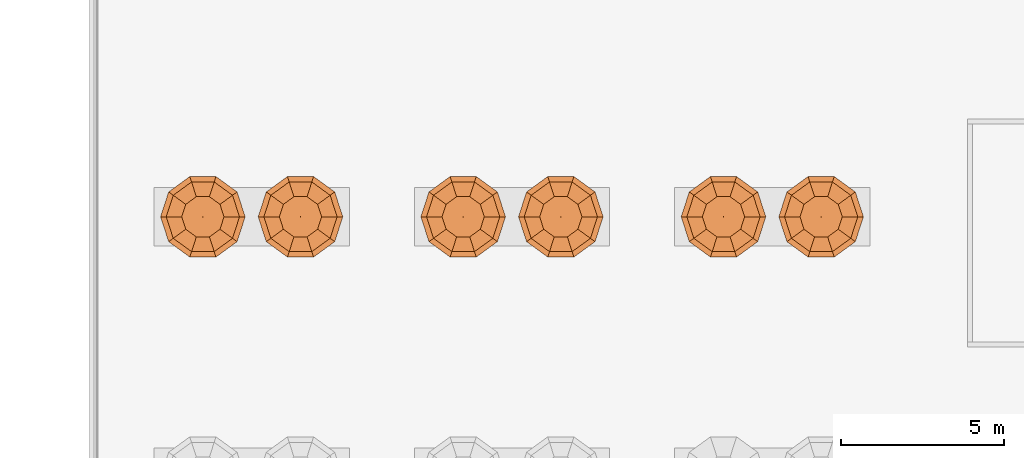
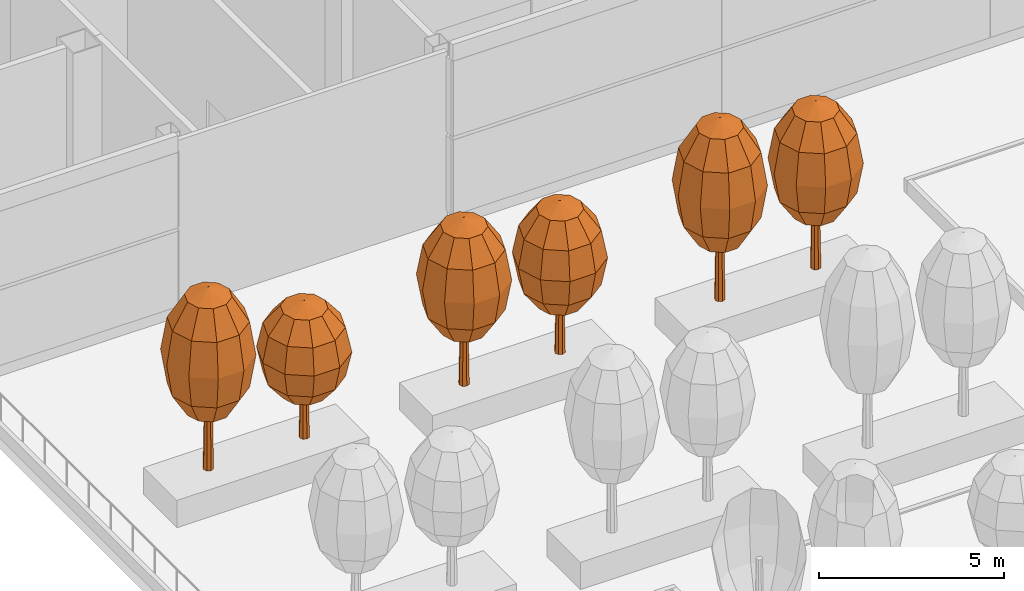
# One storey, part 96 of 100: 6 proxies.
"""IFC4 building model written with IfcOpenShell, lengths in metres."""

from ifc_helpers import new_model, si_unit, direction, frame, origin, place, context, subcontext, project, spatial, triangles, element, save


model = new_model("IFC4")

# Units and contexts
model_context = context("Model", 3, precision=1e-05, world=origin(), true_north=direction((0.0, 1.0)))
body_context = subcontext(model_context, "Body", "Model", "MODEL_VIEW")
ifc_project = project(units=[si_unit("LENGTHUNIT", "METRE"), si_unit("AREAUNIT", "SQUARE_METRE"), si_unit("VOLUMEUNIT", "CUBIC_METRE"), si_unit("PLANEANGLEUNIT", "RADIAN"), si_unit("MASSUNIT", "GRAM", prefix="KILO")], contexts=[model_context])

# Site, building, storey
site_placement = place(None, origin())
site = spatial("IfcSite", under=ifc_project, at=site_placement, CompositionType="ELEMENT")
building_placement = place(site_placement, origin())
building = spatial("IfcBuilding", under=site, at=building_placement, Name="Hakoniwa Tower and Hamabe Station Hall", CompositionType="ELEMENT")
storey_placement = place(building_placement, frame((0.0, 0.0, 9.0)))
storey = spatial("IfcBuildingStorey", under=building, at=storey_placement, Name="L02", CompositionType="ELEMENT", Elevation=9.0)

# Proxies
proxy_1_placement = place(storey_placement, frame((-20.5, -33.0, 0.89990234375)))
element("IfcBuildingElementProxy", 1, at=proxy_1_placement, inside=storey, Name="Tree Ilex rotunda 19-1", ObjectType="TREE", PredefinedType="USERDEFINED", context=body_context, shape_type="Tessellation", body=[
    triangles([(0.14990234375, 0.0, 0.0), (0.106201171875, 0.106201171875, 0.0), (0.0, 0.14990234375, 0.0), (-0.106201171875, 0.106201171875, 0.0), (-0.14990234375, 0.0, 0.0), (-0.106201171875, -0.106201171875, 0.0), (0.0, -0.14990234375, 0.0), (0.106201171875, -0.106201171875, 0.0), (0.090087890625, 0.0, 3.6240234375), (0.063720703125, 0.063720703125, 3.6240234375), (0.0, 0.090087890625, 3.6240234375), (-0.063720703125, 0.063720703125, 3.6240234375), (-0.090087890625, 0.0, 3.6240234375), (-0.063720703125, -0.063720703125, 3.6240234375), (0.0, -0.090087890625, 3.6240234375), (0.063720703125, -0.063720703125, 3.6240234375), (0.0, 0.0, 0.0), (0.0, 0.0, 3.6240234375)], [[1, 2, 10], [1, 10, 9], [17, 2, 1], [18, 9, 10], [2, 3, 11], [2, 11, 10], [17, 3, 2], [18, 10, 11], [3, 4, 12], [3, 12, 11], [17, 4, 3], [18, 11, 12], [4, 5, 13], [4, 13, 12], [17, 5, 4], [18, 12, 13], [5, 6, 14], [5, 14, 13], [17, 6, 5], [18, 13, 14], [6, 7, 15], [6, 15, 14], [17, 7, 6], [18, 14, 15], [7, 8, 16], [7, 16, 15], [17, 8, 7], [18, 15, 16], [8, 1, 9], [8, 9, 16], [17, 1, 8], [18, 16, 9]], closed=True),
    triangles([(0.0, 0.0, 1.679931640625), (0.64990234375, 0.0, 1.969482421875), (0.52587890625, 0.382080078125, 1.969482421875), (0.200927734375, 0.6181640625, 1.969482421875), (-0.200927734375, 0.6181640625, 1.969482421875), (-0.52587890625, 0.382080078125, 1.969482421875), (-0.64990234375, 0.0, 1.969482421875), (-0.52587890625, -0.382080078125, 1.969482421875), (-0.200927734375, -0.6181640625, 1.969482421875), (0.200927734375, -0.6181640625, 1.969482421875), (0.52587890625, -0.382080078125, 1.969482421875), (1.1259765625, 0.0, 2.760009765625), (0.910888671875, 0.661865234375, 2.760009765625), (0.347900390625, 1.07080078125, 2.760009765625), (-0.347900390625, 1.07080078125, 2.760009765625), (-0.910888671875, 0.661865234375, 2.760009765625), (-1.1259765625, 0.0, 2.760009765625), (-0.910888671875, -0.661865234375, 2.760009765625), (-0.347900390625, -1.07080078125, 2.760009765625), (0.347900390625, -1.07080078125, 2.760009765625), (0.910888671875, -0.661865234375, 2.760009765625), (1.300048828125, 0.0, 3.840087890625), (1.0517578125, 0.76416015625, 3.840087890625), (0.40185546875, 1.236328125, 3.840087890625), (-0.40185546875, 1.236328125, 3.840087890625), (-1.0517578125, 0.76416015625, 3.840087890625), (-1.300048828125, 0.0, 3.840087890625), (-1.0517578125, -0.76416015625, 3.840087890625), (-0.40185546875, -1.236328125, 3.840087890625), (0.40185546875, -1.236328125, 3.840087890625), (1.0517578125, -0.76416015625, 3.840087890625), (1.1259765625, 0.0, 4.919921875), (0.910888671875, 0.661865234375, 4.919921875), (0.347900390625, 1.07080078125, 4.919921875), (-0.347900390625, 1.07080078125, 4.919921875), (-0.910888671875, 0.661865234375, 4.919921875), (-1.1259765625, 0.0, 4.919921875), (-0.910888671875, -0.661865234375, 4.919921875), (-0.347900390625, -1.07080078125, 4.919921875), (0.347900390625, -1.07080078125, 4.919921875), (0.910888671875, -0.661865234375, 4.919921875), (0.64990234375, 0.0, 5.710693359375), (0.52587890625, 0.382080078125, 5.710693359375), (0.200927734375, 0.6181640625, 5.710693359375), (-0.200927734375, 0.6181640625, 5.710693359375), (-0.52587890625, 0.382080078125, 5.710693359375), (-0.64990234375, 0.0, 5.710693359375), (-0.52587890625, -0.382080078125, 5.710693359375), (-0.200927734375, -0.6181640625, 5.710693359375), (0.200927734375, -0.6181640625, 5.710693359375), (0.52587890625, -0.382080078125, 5.710693359375), (0.0, 0.0, 6.0)], [[1, 3, 2], [1, 4, 3], [1, 5, 4], [1, 6, 5], [1, 7, 6], [1, 8, 7], [1, 9, 8], [1, 10, 9], [1, 11, 10], [1, 2, 11], [2, 3, 13], [2, 13, 12], [3, 4, 14], [3, 14, 13], [4, 5, 15], [4, 15, 14], [5, 6, 16], [5, 16, 15], [6, 7, 17], [6, 17, 16], [7, 8, 18], [7, 18, 17], [8, 9, 19], [8, 19, 18], [9, 10, 20], [9, 20, 19], [10, 11, 21], [10, 21, 20], [11, 2, 12], [11, 12, 21], [12, 13, 23], [12, 23, 22], [13, 14, 24], [13, 24, 23], [14, 15, 25], [14, 25, 24], [15, 16, 26], [15, 26, 25], [16, 17, 27], [16, 27, 26], [17, 18, 28], [17, 28, 27], [18, 19, 29], [18, 29, 28], [19, 20, 30], [19, 30, 29], [20, 21, 31], [20, 31, 30], [21, 12, 22], [21, 22, 31], [22, 23, 33], [22, 33, 32], [23, 24, 34], [23, 34, 33], [24, 25, 35], [24, 35, 34], [25, 26, 36], [25, 36, 35], [26, 27, 37], [26, 37, 36], [27, 28, 38], [27, 38, 37], [28, 29, 39], [28, 39, 38], [29, 30, 40], [29, 40, 39], [30, 31, 41], [30, 41, 40], [31, 22, 32], [31, 32, 41], [32, 33, 43], [32, 43, 42], [33, 34, 44], [33, 44, 43], [34, 35, 45], [34, 45, 44], [35, 36, 46], [35, 46, 45], [36, 37, 47], [36, 47, 46], [37, 38, 48], [37, 48, 47], [38, 39, 49], [38, 49, 48], [39, 40, 50], [39, 50, 49], [40, 41, 51], [40, 51, 50], [41, 32, 42], [41, 42, 51], [52, 42, 43], [52, 43, 44], [52, 44, 45], [52, 45, 46], [52, 46, 47], [52, 47, 48], [52, 48, 49], [52, 49, 50], [52, 50, 51], [52, 51, 42]], closed=True),
])
proxy_2_placement = place(storey_placement, frame((-17.5, -33.0, 0.89990234375)))
element("IfcBuildingElementProxy", 2, at=proxy_2_placement, inside=storey, Name="Tree Camellia sasanqua 19-2", ObjectType="TREE", PredefinedType="USERDEFINED", context=body_context, shape_type="Tessellation", body=[
    triangles([(0.14990234375, 0.0, 0.0), (0.106201171875, 0.106201171875, 0.0), (0.0, 0.14990234375, 0.0), (-0.106201171875, 0.106201171875, 0.0), (-0.14990234375, 0.0, 0.0), (-0.106201171875, -0.106201171875, 0.0), (0.0, -0.14990234375, 0.0), (0.106201171875, -0.106201171875, 0.0), (0.090087890625, 0.0, 2.718017578125), (0.063720703125, 0.063720703125, 2.718017578125), (0.0, 0.090087890625, 2.718017578125), (-0.063720703125, 0.063720703125, 2.718017578125), (-0.090087890625, 0.0, 2.718017578125), (-0.063720703125, -0.063720703125, 2.718017578125), (0.0, -0.090087890625, 2.718017578125), (0.063720703125, -0.063720703125, 2.718017578125), (0.0, 0.0, 0.0), (0.0, 0.0, 2.718017578125)], [[1, 2, 10], [1, 10, 9], [17, 2, 1], [18, 9, 10], [2, 3, 11], [2, 11, 10], [17, 3, 2], [18, 10, 11], [3, 4, 12], [3, 12, 11], [17, 4, 3], [18, 11, 12], [4, 5, 13], [4, 13, 12], [17, 5, 4], [18, 12, 13], [5, 6, 14], [5, 14, 13], [17, 6, 5], [18, 13, 14], [6, 7, 15], [6, 15, 14], [17, 7, 6], [18, 14, 15], [7, 8, 16], [7, 16, 15], [17, 8, 7], [18, 15, 16], [8, 1, 9], [8, 9, 16], [17, 1, 8], [18, 16, 9]], closed=True),
    triangles([(0.0, 0.0, 1.260009765625), (0.64990234375, 0.0, 1.47705078125), (0.52587890625, 0.382080078125, 1.47705078125), (0.200927734375, 0.6181640625, 1.47705078125), (-0.200927734375, 0.6181640625, 1.47705078125), (-0.52587890625, 0.382080078125, 1.47705078125), (-0.64990234375, 0.0, 1.47705078125), (-0.52587890625, -0.382080078125, 1.47705078125), (-0.200927734375, -0.6181640625, 1.47705078125), (0.200927734375, -0.6181640625, 1.47705078125), (0.52587890625, -0.382080078125, 1.47705078125), (1.1259765625, 0.0, 2.070068359375), (0.910888671875, 0.661865234375, 2.070068359375), (0.347900390625, 1.07080078125, 2.070068359375), (-0.347900390625, 1.07080078125, 2.070068359375), (-0.910888671875, 0.661865234375, 2.070068359375), (-1.1259765625, 0.0, 2.070068359375), (-0.910888671875, -0.661865234375, 2.070068359375), (-0.347900390625, -1.07080078125, 2.070068359375), (0.347900390625, -1.07080078125, 2.070068359375), (0.910888671875, -0.661865234375, 2.070068359375), (1.300048828125, 0.0, 2.8798828125), (1.0517578125, 0.76416015625, 2.8798828125), (0.40185546875, 1.236328125, 2.8798828125), (-0.40185546875, 1.236328125, 2.8798828125), (-1.0517578125, 0.76416015625, 2.8798828125), (-1.300048828125, 0.0, 2.8798828125), (-1.0517578125, -0.76416015625, 2.8798828125), (-0.40185546875, -1.236328125, 2.8798828125), (0.40185546875, -1.236328125, 2.8798828125), (1.0517578125, -0.76416015625, 2.8798828125), (1.1259765625, 0.0, 3.68994140625), (0.910888671875, 0.661865234375, 3.68994140625), (0.347900390625, 1.07080078125, 3.68994140625), (-0.347900390625, 1.07080078125, 3.68994140625), (-0.910888671875, 0.661865234375, 3.68994140625), (-1.1259765625, 0.0, 3.68994140625), (-0.910888671875, -0.661865234375, 3.68994140625), (-0.347900390625, -1.07080078125, 3.68994140625), (0.347900390625, -1.07080078125, 3.68994140625), (0.910888671875, -0.661865234375, 3.68994140625), (0.64990234375, 0.0, 4.282958984375), (0.52587890625, 0.382080078125, 4.282958984375), (0.200927734375, 0.6181640625, 4.282958984375), (-0.200927734375, 0.6181640625, 4.282958984375), (-0.52587890625, 0.382080078125, 4.282958984375), (-0.64990234375, 0.0, 4.282958984375), (-0.52587890625, -0.382080078125, 4.282958984375), (-0.200927734375, -0.6181640625, 4.282958984375), (0.200927734375, -0.6181640625, 4.282958984375), (0.52587890625, -0.382080078125, 4.282958984375), (0.0, 0.0, 4.5)], [[1, 3, 2], [1, 4, 3], [1, 5, 4], [1, 6, 5], [1, 7, 6], [1, 8, 7], [1, 9, 8], [1, 10, 9], [1, 11, 10], [1, 2, 11], [2, 3, 13], [2, 13, 12], [3, 4, 14], [3, 14, 13], [4, 5, 15], [4, 15, 14], [5, 6, 16], [5, 16, 15], [6, 7, 17], [6, 17, 16], [7, 8, 18], [7, 18, 17], [8, 9, 19], [8, 19, 18], [9, 10, 20], [9, 20, 19], [10, 11, 21], [10, 21, 20], [11, 2, 12], [11, 12, 21], [12, 13, 23], [12, 23, 22], [13, 14, 24], [13, 24, 23], [14, 15, 25], [14, 25, 24], [15, 16, 26], [15, 26, 25], [16, 17, 27], [16, 27, 26], [17, 18, 28], [17, 28, 27], [18, 19, 29], [18, 29, 28], [19, 20, 30], [19, 30, 29], [20, 21, 31], [20, 31, 30], [21, 12, 22], [21, 22, 31], [22, 23, 33], [22, 33, 32], [23, 24, 34], [23, 34, 33], [24, 25, 35], [24, 35, 34], [25, 26, 36], [25, 36, 35], [26, 27, 37], [26, 37, 36], [27, 28, 38], [27, 38, 37], [28, 29, 39], [28, 39, 38], [29, 30, 40], [29, 40, 39], [30, 31, 41], [30, 41, 40], [31, 22, 32], [31, 32, 41], [32, 33, 43], [32, 43, 42], [33, 34, 44], [33, 44, 43], [34, 35, 45], [34, 45, 44], [35, 36, 46], [35, 46, 45], [36, 37, 47], [36, 47, 46], [37, 38, 48], [37, 48, 47], [38, 39, 49], [38, 49, 48], [39, 40, 50], [39, 50, 49], [40, 41, 51], [40, 51, 50], [41, 32, 42], [41, 42, 51], [52, 42, 43], [52, 43, 44], [52, 44, 45], [52, 45, 46], [52, 46, 47], [52, 47, 48], [52, 48, 49], [52, 49, 50], [52, 50, 51], [52, 51, 42]], closed=True),
])
proxy_3_placement = place(storey_placement, frame((-12.5, -33.0, 0.89990234375)))
element("IfcBuildingElementProxy", 3, at=proxy_3_placement, inside=storey, Name="Tree Ternstroemia gymnanthera 20-1", ObjectType="TREE", PredefinedType="USERDEFINED", context=body_context, shape_type="Tessellation", body=[
    triangles([(0.14990234375, 0.0, 0.0), (0.106201171875, 0.106201171875, 0.0), (0.0, 0.14990234375, 0.0), (-0.106201171875, 0.106201171875, 0.0), (-0.14990234375, 0.0, 0.0), (-0.106201171875, -0.106201171875, 0.0), (0.0, -0.14990234375, 0.0), (0.106201171875, -0.106201171875, 0.0), (0.090087890625, 0.0, 3.322021484375), (0.063720703125, 0.063720703125, 3.322021484375), (0.0, 0.090087890625, 3.322021484375), (-0.063720703125, 0.063720703125, 3.322021484375), (-0.090087890625, 0.0, 3.322021484375), (-0.063720703125, -0.063720703125, 3.322021484375), (0.0, -0.090087890625, 3.322021484375), (0.063720703125, -0.063720703125, 3.322021484375), (0.0, 0.0, 0.0), (0.0, 0.0, 3.322021484375)], [[1, 2, 10], [1, 10, 9], [17, 2, 1], [18, 9, 10], [2, 3, 11], [2, 11, 10], [17, 3, 2], [18, 10, 11], [3, 4, 12], [3, 12, 11], [17, 4, 3], [18, 11, 12], [4, 5, 13], [4, 13, 12], [17, 5, 4], [18, 12, 13], [5, 6, 14], [5, 14, 13], [17, 6, 5], [18, 13, 14], [6, 7, 15], [6, 15, 14], [17, 7, 6], [18, 14, 15], [7, 8, 16], [7, 16, 15], [17, 8, 7], [18, 15, 16], [8, 1, 9], [8, 9, 16], [17, 1, 8], [18, 16, 9]], closed=True),
    triangles([(0.0, 0.0, 1.5400390625), (0.64990234375, 0.0, 1.80517578125), (0.52587890625, 0.382080078125, 1.80517578125), (0.200927734375, 0.6181640625, 1.80517578125), (-0.200927734375, 0.6181640625, 1.80517578125), (-0.52587890625, 0.382080078125, 1.80517578125), (-0.64990234375, 0.0, 1.80517578125), (-0.52587890625, -0.382080078125, 1.80517578125), (-0.200927734375, -0.6181640625, 1.80517578125), (0.200927734375, -0.6181640625, 1.80517578125), (0.52587890625, -0.382080078125, 1.80517578125), (1.1259765625, 0.0, 2.530029296875), (0.910888671875, 0.661865234375, 2.530029296875), (0.347900390625, 1.07080078125, 2.530029296875), (-0.347900390625, 1.07080078125, 2.530029296875), (-0.910888671875, 0.661865234375, 2.530029296875), (-1.1259765625, 0.0, 2.530029296875), (-0.910888671875, -0.661865234375, 2.530029296875), (-0.347900390625, -1.07080078125, 2.530029296875), (0.347900390625, -1.07080078125, 2.530029296875), (0.910888671875, -0.661865234375, 2.530029296875), (1.300048828125, 0.0, 3.52001953125), (1.0517578125, 0.76416015625, 3.52001953125), (0.40185546875, 1.236328125, 3.52001953125), (-0.40185546875, 1.236328125, 3.52001953125), (-1.0517578125, 0.76416015625, 3.52001953125), (-1.300048828125, 0.0, 3.52001953125), (-1.0517578125, -0.76416015625, 3.52001953125), (-0.40185546875, -1.236328125, 3.52001953125), (0.40185546875, -1.236328125, 3.52001953125), (1.0517578125, -0.76416015625, 3.52001953125), (1.1259765625, 0.0, 4.510009765625), (0.910888671875, 0.661865234375, 4.510009765625), (0.347900390625, 1.07080078125, 4.510009765625), (-0.347900390625, 1.07080078125, 4.510009765625), (-0.910888671875, 0.661865234375, 4.510009765625), (-1.1259765625, 0.0, 4.510009765625), (-0.910888671875, -0.661865234375, 4.510009765625), (-0.347900390625, -1.07080078125, 4.510009765625), (0.347900390625, -1.07080078125, 4.510009765625), (0.910888671875, -0.661865234375, 4.510009765625), (0.64990234375, 0.0, 5.234619140625), (0.52587890625, 0.382080078125, 5.234619140625), (0.200927734375, 0.6181640625, 5.234619140625), (-0.200927734375, 0.6181640625, 5.234619140625), (-0.52587890625, 0.382080078125, 5.234619140625), (-0.64990234375, 0.0, 5.234619140625), (-0.52587890625, -0.382080078125, 5.234619140625), (-0.200927734375, -0.6181640625, 5.234619140625), (0.200927734375, -0.6181640625, 5.234619140625), (0.52587890625, -0.382080078125, 5.234619140625), (0.0, 0.0, 5.5)], [[1, 3, 2], [1, 4, 3], [1, 5, 4], [1, 6, 5], [1, 7, 6], [1, 8, 7], [1, 9, 8], [1, 10, 9], [1, 11, 10], [1, 2, 11], [2, 3, 13], [2, 13, 12], [3, 4, 14], [3, 14, 13], [4, 5, 15], [4, 15, 14], [5, 6, 16], [5, 16, 15], [6, 7, 17], [6, 17, 16], [7, 8, 18], [7, 18, 17], [8, 9, 19], [8, 19, 18], [9, 10, 20], [9, 20, 19], [10, 11, 21], [10, 21, 20], [11, 2, 12], [11, 12, 21], [12, 13, 23], [12, 23, 22], [13, 14, 24], [13, 24, 23], [14, 15, 25], [14, 25, 24], [15, 16, 26], [15, 26, 25], [16, 17, 27], [16, 27, 26], [17, 18, 28], [17, 28, 27], [18, 19, 29], [18, 29, 28], [19, 20, 30], [19, 30, 29], [20, 21, 31], [20, 31, 30], [21, 12, 22], [21, 22, 31], [22, 23, 33], [22, 33, 32], [23, 24, 34], [23, 34, 33], [24, 25, 35], [24, 35, 34], [25, 26, 36], [25, 36, 35], [26, 27, 37], [26, 37, 36], [27, 28, 38], [27, 38, 37], [28, 29, 39], [28, 39, 38], [29, 30, 40], [29, 40, 39], [30, 31, 41], [30, 41, 40], [31, 22, 32], [31, 32, 41], [32, 33, 43], [32, 43, 42], [33, 34, 44], [33, 44, 43], [34, 35, 45], [34, 45, 44], [35, 36, 46], [35, 46, 45], [36, 37, 47], [36, 47, 46], [37, 38, 48], [37, 48, 47], [38, 39, 49], [38, 49, 48], [39, 40, 50], [39, 50, 49], [40, 41, 51], [40, 51, 50], [41, 32, 42], [41, 42, 51], [52, 42, 43], [52, 43, 44], [52, 44, 45], [52, 45, 46], [52, 46, 47], [52, 47, 48], [52, 48, 49], [52, 49, 50], [52, 50, 51], [52, 51, 42]], closed=True),
])
proxy_4_placement = place(storey_placement, frame((-9.5, -33.0, 0.89990234375)))
element("IfcBuildingElementProxy", 4, at=proxy_4_placement, inside=storey, Name="Tree Ilex pedunculosa 20-2", ObjectType="TREE", PredefinedType="USERDEFINED", context=body_context, shape_type="Tessellation", body=[
    triangles([(0.14990234375, 0.0, 0.0), (0.106201171875, 0.106201171875, 0.0), (0.0, 0.14990234375, 0.0), (-0.106201171875, 0.106201171875, 0.0), (-0.14990234375, 0.0, 0.0), (-0.106201171875, -0.106201171875, 0.0), (0.0, -0.14990234375, 0.0), (0.106201171875, -0.106201171875, 0.0), (0.090087890625, 0.0, 3.02001953125), (0.063720703125, 0.063720703125, 3.02001953125), (0.0, 0.090087890625, 3.02001953125), (-0.063720703125, 0.063720703125, 3.02001953125), (-0.090087890625, 0.0, 3.02001953125), (-0.063720703125, -0.063720703125, 3.02001953125), (0.0, -0.090087890625, 3.02001953125), (0.063720703125, -0.063720703125, 3.02001953125), (0.0, 0.0, 0.0), (0.0, 0.0, 3.02001953125)], [[1, 2, 10], [1, 10, 9], [17, 2, 1], [18, 9, 10], [2, 3, 11], [2, 11, 10], [17, 3, 2], [18, 10, 11], [3, 4, 12], [3, 12, 11], [17, 4, 3], [18, 11, 12], [4, 5, 13], [4, 13, 12], [17, 5, 4], [18, 12, 13], [5, 6, 14], [5, 14, 13], [17, 6, 5], [18, 13, 14], [6, 7, 15], [6, 15, 14], [17, 7, 6], [18, 14, 15], [7, 8, 16], [7, 16, 15], [17, 8, 7], [18, 15, 16], [8, 1, 9], [8, 9, 16], [17, 1, 8], [18, 16, 9]], closed=True),
    triangles([(0.0, 0.0, 1.39990234375), (0.64990234375, 0.0, 1.64111328125), (0.52587890625, 0.382080078125, 1.64111328125), (0.200927734375, 0.6181640625, 1.64111328125), (-0.200927734375, 0.6181640625, 1.64111328125), (-0.52587890625, 0.382080078125, 1.64111328125), (-0.64990234375, 0.0, 1.64111328125), (-0.52587890625, -0.382080078125, 1.64111328125), (-0.200927734375, -0.6181640625, 1.64111328125), (0.200927734375, -0.6181640625, 1.64111328125), (0.52587890625, -0.382080078125, 1.64111328125), (1.1259765625, 0.0, 2.300048828125), (0.910888671875, 0.661865234375, 2.300048828125), (0.347900390625, 1.07080078125, 2.300048828125), (-0.347900390625, 1.07080078125, 2.300048828125), (-0.910888671875, 0.661865234375, 2.300048828125), (-1.1259765625, 0.0, 2.300048828125), (-0.910888671875, -0.661865234375, 2.300048828125), (-0.347900390625, -1.07080078125, 2.300048828125), (0.347900390625, -1.07080078125, 2.300048828125), (0.910888671875, -0.661865234375, 2.300048828125), (1.300048828125, 0.0, 3.199951171875), (1.0517578125, 0.76416015625, 3.199951171875), (0.40185546875, 1.236328125, 3.199951171875), (-0.40185546875, 1.236328125, 3.199951171875), (-1.0517578125, 0.76416015625, 3.199951171875), (-1.300048828125, 0.0, 3.199951171875), (-1.0517578125, -0.76416015625, 3.199951171875), (-0.40185546875, -1.236328125, 3.199951171875), (0.40185546875, -1.236328125, 3.199951171875), (1.0517578125, -0.76416015625, 3.199951171875), (1.1259765625, 0.0, 4.10009765625), (0.910888671875, 0.661865234375, 4.10009765625), (0.347900390625, 1.07080078125, 4.10009765625), (-0.347900390625, 1.07080078125, 4.10009765625), (-0.910888671875, 0.661865234375, 4.10009765625), (-1.1259765625, 0.0, 4.10009765625), (-0.910888671875, -0.661865234375, 4.10009765625), (-0.347900390625, -1.07080078125, 4.10009765625), (0.347900390625, -1.07080078125, 4.10009765625), (0.910888671875, -0.661865234375, 4.10009765625), (0.64990234375, 0.0, 4.7587890625), (0.52587890625, 0.382080078125, 4.7587890625), (0.200927734375, 0.6181640625, 4.7587890625), (-0.200927734375, 0.6181640625, 4.7587890625), (-0.52587890625, 0.382080078125, 4.7587890625), (-0.64990234375, 0.0, 4.7587890625), (-0.52587890625, -0.382080078125, 4.7587890625), (-0.200927734375, -0.6181640625, 4.7587890625), (0.200927734375, -0.6181640625, 4.7587890625), (0.52587890625, -0.382080078125, 4.7587890625), (0.0, 0.0, 5.0)], [[1, 3, 2], [1, 4, 3], [1, 5, 4], [1, 6, 5], [1, 7, 6], [1, 8, 7], [1, 9, 8], [1, 10, 9], [1, 11, 10], [1, 2, 11], [2, 3, 13], [2, 13, 12], [3, 4, 14], [3, 14, 13], [4, 5, 15], [4, 15, 14], [5, 6, 16], [5, 16, 15], [6, 7, 17], [6, 17, 16], [7, 8, 18], [7, 18, 17], [8, 9, 19], [8, 19, 18], [9, 10, 20], [9, 20, 19], [10, 11, 21], [10, 21, 20], [11, 2, 12], [11, 12, 21], [12, 13, 23], [12, 23, 22], [13, 14, 24], [13, 24, 23], [14, 15, 25], [14, 25, 24], [15, 16, 26], [15, 26, 25], [16, 17, 27], [16, 27, 26], [17, 18, 28], [17, 28, 27], [18, 19, 29], [18, 29, 28], [19, 20, 30], [19, 30, 29], [20, 21, 31], [20, 31, 30], [21, 12, 22], [21, 22, 31], [22, 23, 33], [22, 33, 32], [23, 24, 34], [23, 34, 33], [24, 25, 35], [24, 35, 34], [25, 26, 36], [25, 36, 35], [26, 27, 37], [26, 37, 36], [27, 28, 38], [27, 38, 37], [28, 29, 39], [28, 39, 38], [29, 30, 40], [29, 40, 39], [30, 31, 41], [30, 41, 40], [31, 22, 32], [31, 32, 41], [32, 33, 43], [32, 43, 42], [33, 34, 44], [33, 44, 43], [34, 35, 45], [34, 45, 44], [35, 36, 46], [35, 46, 45], [36, 37, 47], [36, 47, 46], [37, 38, 48], [37, 48, 47], [38, 39, 49], [38, 49, 48], [39, 40, 50], [39, 50, 49], [40, 41, 51], [40, 51, 50], [41, 32, 42], [41, 42, 51], [52, 42, 43], [52, 43, 44], [52, 44, 45], [52, 45, 46], [52, 46, 47], [52, 47, 48], [52, 48, 49], [52, 49, 50], [52, 50, 51], [52, 51, 42]], closed=True),
])
proxy_5_placement = place(storey_placement, frame((-4.5, -33.0, 0.89990234375)))
element("IfcBuildingElementProxy", 5, at=proxy_5_placement, inside=storey, Name="Tree Biota orientalis 21-1", ObjectType="TREE", PredefinedType="USERDEFINED", context=body_context, shape_type="Tessellation", body=[
    triangles([(0.14990234375, 0.0, 0.0), (0.106201171875, 0.106201171875, 0.0), (0.0, 0.14990234375, 0.0), (-0.106201171875, 0.106201171875, 0.0), (-0.14990234375, 0.0, 0.0), (-0.106201171875, -0.106201171875, 0.0), (0.0, -0.14990234375, 0.0), (0.106201171875, -0.106201171875, 0.0), (0.090087890625, 0.0, 3.6240234375), (0.063720703125, 0.063720703125, 3.6240234375), (0.0, 0.090087890625, 3.6240234375), (-0.063720703125, 0.063720703125, 3.6240234375), (-0.090087890625, 0.0, 3.6240234375), (-0.063720703125, -0.063720703125, 3.6240234375), (0.0, -0.090087890625, 3.6240234375), (0.063720703125, -0.063720703125, 3.6240234375), (0.0, 0.0, 0.0), (0.0, 0.0, 3.6240234375)], [[1, 2, 10], [1, 10, 9], [17, 2, 1], [18, 9, 10], [2, 3, 11], [2, 11, 10], [17, 3, 2], [18, 10, 11], [3, 4, 12], [3, 12, 11], [17, 4, 3], [18, 11, 12], [4, 5, 13], [4, 13, 12], [17, 5, 4], [18, 12, 13], [5, 6, 14], [5, 14, 13], [17, 6, 5], [18, 13, 14], [6, 7, 15], [6, 15, 14], [17, 7, 6], [18, 14, 15], [7, 8, 16], [7, 16, 15], [17, 8, 7], [18, 15, 16], [8, 1, 9], [8, 9, 16], [17, 1, 8], [18, 16, 9]], closed=True),
    triangles([(0.0, 0.0, 1.679931640625), (0.64990234375, 0.0, 1.969482421875), (0.52587890625, 0.382080078125, 1.969482421875), (0.200927734375, 0.6181640625, 1.969482421875), (-0.200927734375, 0.6181640625, 1.969482421875), (-0.52587890625, 0.382080078125, 1.969482421875), (-0.64990234375, 0.0, 1.969482421875), (-0.52587890625, -0.382080078125, 1.969482421875), (-0.200927734375, -0.6181640625, 1.969482421875), (0.200927734375, -0.6181640625, 1.969482421875), (0.52587890625, -0.382080078125, 1.969482421875), (1.1259765625, 0.0, 2.760009765625), (0.910888671875, 0.661865234375, 2.760009765625), (0.347900390625, 1.07080078125, 2.760009765625), (-0.347900390625, 1.07080078125, 2.760009765625), (-0.910888671875, 0.661865234375, 2.760009765625), (-1.1259765625, 0.0, 2.760009765625), (-0.910888671875, -0.661865234375, 2.760009765625), (-0.347900390625, -1.07080078125, 2.760009765625), (0.347900390625, -1.07080078125, 2.760009765625), (0.910888671875, -0.661865234375, 2.760009765625), (1.300048828125, 0.0, 3.840087890625), (1.0517578125, 0.76416015625, 3.840087890625), (0.40185546875, 1.236328125, 3.840087890625), (-0.40185546875, 1.236328125, 3.840087890625), (-1.0517578125, 0.76416015625, 3.840087890625), (-1.300048828125, 0.0, 3.840087890625), (-1.0517578125, -0.76416015625, 3.840087890625), (-0.40185546875, -1.236328125, 3.840087890625), (0.40185546875, -1.236328125, 3.840087890625), (1.0517578125, -0.76416015625, 3.840087890625), (1.1259765625, 0.0, 4.919921875), (0.910888671875, 0.661865234375, 4.919921875), (0.347900390625, 1.07080078125, 4.919921875), (-0.347900390625, 1.07080078125, 4.919921875), (-0.910888671875, 0.661865234375, 4.919921875), (-1.1259765625, 0.0, 4.919921875), (-0.910888671875, -0.661865234375, 4.919921875), (-0.347900390625, -1.07080078125, 4.919921875), (0.347900390625, -1.07080078125, 4.919921875), (0.910888671875, -0.661865234375, 4.919921875), (0.64990234375, 0.0, 5.710693359375), (0.52587890625, 0.382080078125, 5.710693359375), (0.200927734375, 0.6181640625, 5.710693359375), (-0.200927734375, 0.6181640625, 5.710693359375), (-0.52587890625, 0.382080078125, 5.710693359375), (-0.64990234375, 0.0, 5.710693359375), (-0.52587890625, -0.382080078125, 5.710693359375), (-0.200927734375, -0.6181640625, 5.710693359375), (0.200927734375, -0.6181640625, 5.710693359375), (0.52587890625, -0.382080078125, 5.710693359375), (0.0, 0.0, 6.0)], [[1, 3, 2], [1, 4, 3], [1, 5, 4], [1, 6, 5], [1, 7, 6], [1, 8, 7], [1, 9, 8], [1, 10, 9], [1, 11, 10], [1, 2, 11], [2, 3, 13], [2, 13, 12], [3, 4, 14], [3, 14, 13], [4, 5, 15], [4, 15, 14], [5, 6, 16], [5, 16, 15], [6, 7, 17], [6, 17, 16], [7, 8, 18], [7, 18, 17], [8, 9, 19], [8, 19, 18], [9, 10, 20], [9, 20, 19], [10, 11, 21], [10, 21, 20], [11, 2, 12], [11, 12, 21], [12, 13, 23], [12, 23, 22], [13, 14, 24], [13, 24, 23], [14, 15, 25], [14, 25, 24], [15, 16, 26], [15, 26, 25], [16, 17, 27], [16, 27, 26], [17, 18, 28], [17, 28, 27], [18, 19, 29], [18, 29, 28], [19, 20, 30], [19, 30, 29], [20, 21, 31], [20, 31, 30], [21, 12, 22], [21, 22, 31], [22, 23, 33], [22, 33, 32], [23, 24, 34], [23, 34, 33], [24, 25, 35], [24, 35, 34], [25, 26, 36], [25, 36, 35], [26, 27, 37], [26, 37, 36], [27, 28, 38], [27, 38, 37], [28, 29, 39], [28, 39, 38], [29, 30, 40], [29, 40, 39], [30, 31, 41], [30, 41, 40], [31, 22, 32], [31, 32, 41], [32, 33, 43], [32, 43, 42], [33, 34, 44], [33, 44, 43], [34, 35, 45], [34, 45, 44], [35, 36, 46], [35, 46, 45], [36, 37, 47], [36, 47, 46], [37, 38, 48], [37, 48, 47], [38, 39, 49], [38, 49, 48], [39, 40, 50], [39, 50, 49], [40, 41, 51], [40, 51, 50], [41, 32, 42], [41, 42, 51], [52, 42, 43], [52, 43, 44], [52, 44, 45], [52, 45, 46], [52, 46, 47], [52, 47, 48], [52, 48, 49], [52, 49, 50], [52, 50, 51], [52, 51, 42]], closed=True),
])
proxy_6_placement = place(storey_placement, frame((-1.5, -33.0, 0.89990234375)))
element("IfcBuildingElementProxy", 6, at=proxy_6_placement, inside=storey, Name="Tree Dendropanax trifidus 21-2", ObjectType="TREE", PredefinedType="USERDEFINED", context=body_context, shape_type="Tessellation", body=[
    triangles([(0.14990234375, 0.0, 0.0), (0.106201171875, 0.106201171875, 0.0), (0.0, 0.14990234375, 0.0), (-0.106201171875, 0.106201171875, 0.0), (-0.14990234375, 0.0, 0.0), (-0.106201171875, -0.106201171875, 0.0), (0.0, -0.14990234375, 0.0), (0.106201171875, -0.106201171875, 0.0), (0.090087890625, 0.0, 3.322021484375), (0.063720703125, 0.063720703125, 3.322021484375), (0.0, 0.090087890625, 3.322021484375), (-0.063720703125, 0.063720703125, 3.322021484375), (-0.090087890625, 0.0, 3.322021484375), (-0.063720703125, -0.063720703125, 3.322021484375), (0.0, -0.090087890625, 3.322021484375), (0.063720703125, -0.063720703125, 3.322021484375), (0.0, 0.0, 0.0), (0.0, 0.0, 3.322021484375)], [[1, 2, 10], [1, 10, 9], [17, 2, 1], [18, 9, 10], [2, 3, 11], [2, 11, 10], [17, 3, 2], [18, 10, 11], [3, 4, 12], [3, 12, 11], [17, 4, 3], [18, 11, 12], [4, 5, 13], [4, 13, 12], [17, 5, 4], [18, 12, 13], [5, 6, 14], [5, 14, 13], [17, 6, 5], [18, 13, 14], [6, 7, 15], [6, 15, 14], [17, 7, 6], [18, 14, 15], [7, 8, 16], [7, 16, 15], [17, 8, 7], [18, 15, 16], [8, 1, 9], [8, 9, 16], [17, 1, 8], [18, 16, 9]], closed=True),
    triangles([(0.0, 0.0, 1.5400390625), (0.64990234375, 0.0, 1.80517578125), (0.52587890625, 0.382080078125, 1.80517578125), (0.200927734375, 0.6181640625, 1.80517578125), (-0.200927734375, 0.6181640625, 1.80517578125), (-0.52587890625, 0.382080078125, 1.80517578125), (-0.64990234375, 0.0, 1.80517578125), (-0.52587890625, -0.382080078125, 1.80517578125), (-0.200927734375, -0.6181640625, 1.80517578125), (0.200927734375, -0.6181640625, 1.80517578125), (0.52587890625, -0.382080078125, 1.80517578125), (1.1259765625, 0.0, 2.530029296875), (0.910888671875, 0.661865234375, 2.530029296875), (0.347900390625, 1.07080078125, 2.530029296875), (-0.347900390625, 1.07080078125, 2.530029296875), (-0.910888671875, 0.661865234375, 2.530029296875), (-1.1259765625, 0.0, 2.530029296875), (-0.910888671875, -0.661865234375, 2.530029296875), (-0.347900390625, -1.07080078125, 2.530029296875), (0.347900390625, -1.07080078125, 2.530029296875), (0.910888671875, -0.661865234375, 2.530029296875), (1.300048828125, 0.0, 3.52001953125), (1.0517578125, 0.76416015625, 3.52001953125), (0.40185546875, 1.236328125, 3.52001953125), (-0.40185546875, 1.236328125, 3.52001953125), (-1.0517578125, 0.76416015625, 3.52001953125), (-1.300048828125, 0.0, 3.52001953125), (-1.0517578125, -0.76416015625, 3.52001953125), (-0.40185546875, -1.236328125, 3.52001953125), (0.40185546875, -1.236328125, 3.52001953125), (1.0517578125, -0.76416015625, 3.52001953125), (1.1259765625, 0.0, 4.510009765625), (0.910888671875, 0.661865234375, 4.510009765625), (0.347900390625, 1.07080078125, 4.510009765625), (-0.347900390625, 1.07080078125, 4.510009765625), (-0.910888671875, 0.661865234375, 4.510009765625), (-1.1259765625, 0.0, 4.510009765625), (-0.910888671875, -0.661865234375, 4.510009765625), (-0.347900390625, -1.07080078125, 4.510009765625), (0.347900390625, -1.07080078125, 4.510009765625), (0.910888671875, -0.661865234375, 4.510009765625), (0.64990234375, 0.0, 5.234619140625), (0.52587890625, 0.382080078125, 5.234619140625), (0.200927734375, 0.6181640625, 5.234619140625), (-0.200927734375, 0.6181640625, 5.234619140625), (-0.52587890625, 0.382080078125, 5.234619140625), (-0.64990234375, 0.0, 5.234619140625), (-0.52587890625, -0.382080078125, 5.234619140625), (-0.200927734375, -0.6181640625, 5.234619140625), (0.200927734375, -0.6181640625, 5.234619140625), (0.52587890625, -0.382080078125, 5.234619140625), (0.0, 0.0, 5.5)], [[1, 3, 2], [1, 4, 3], [1, 5, 4], [1, 6, 5], [1, 7, 6], [1, 8, 7], [1, 9, 8], [1, 10, 9], [1, 11, 10], [1, 2, 11], [2, 3, 13], [2, 13, 12], [3, 4, 14], [3, 14, 13], [4, 5, 15], [4, 15, 14], [5, 6, 16], [5, 16, 15], [6, 7, 17], [6, 17, 16], [7, 8, 18], [7, 18, 17], [8, 9, 19], [8, 19, 18], [9, 10, 20], [9, 20, 19], [10, 11, 21], [10, 21, 20], [11, 2, 12], [11, 12, 21], [12, 13, 23], [12, 23, 22], [13, 14, 24], [13, 24, 23], [14, 15, 25], [14, 25, 24], [15, 16, 26], [15, 26, 25], [16, 17, 27], [16, 27, 26], [17, 18, 28], [17, 28, 27], [18, 19, 29], [18, 29, 28], [19, 20, 30], [19, 30, 29], [20, 21, 31], [20, 31, 30], [21, 12, 22], [21, 22, 31], [22, 23, 33], [22, 33, 32], [23, 24, 34], [23, 34, 33], [24, 25, 35], [24, 35, 34], [25, 26, 36], [25, 36, 35], [26, 27, 37], [26, 37, 36], [27, 28, 38], [27, 38, 37], [28, 29, 39], [28, 39, 38], [29, 30, 40], [29, 40, 39], [30, 31, 41], [30, 41, 40], [31, 22, 32], [31, 32, 41], [32, 33, 43], [32, 43, 42], [33, 34, 44], [33, 44, 43], [34, 35, 45], [34, 45, 44], [35, 36, 46], [35, 46, 45], [36, 37, 47], [36, 47, 46], [37, 38, 48], [37, 48, 47], [38, 39, 49], [38, 49, 48], [39, 40, 50], [39, 50, 49], [40, 41, 51], [40, 51, 50], [41, 32, 42], [41, 42, 51], [52, 42, 43], [52, 43, 44], [52, 44, 45], [52, 45, 46], [52, 46, 47], [52, 47, 48], [52, 48, 49], [52, 49, 50], [52, 50, 51], [52, 51, 42]], closed=True),
])

save(model, "model.ifc")
